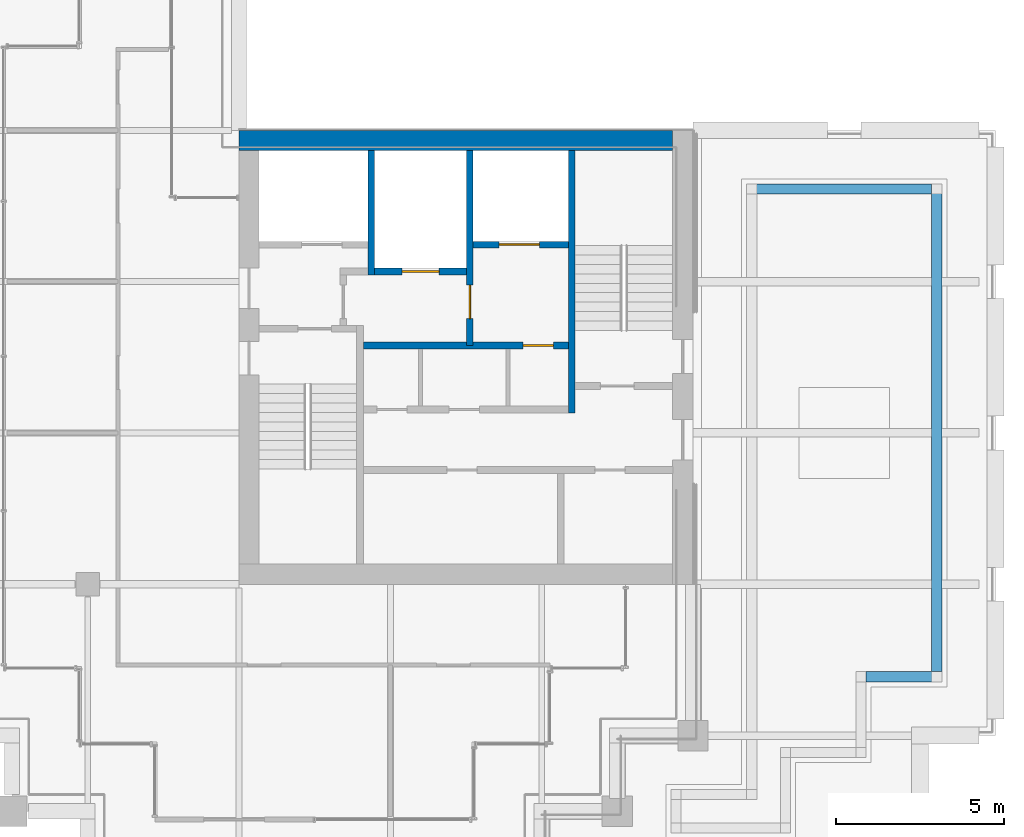
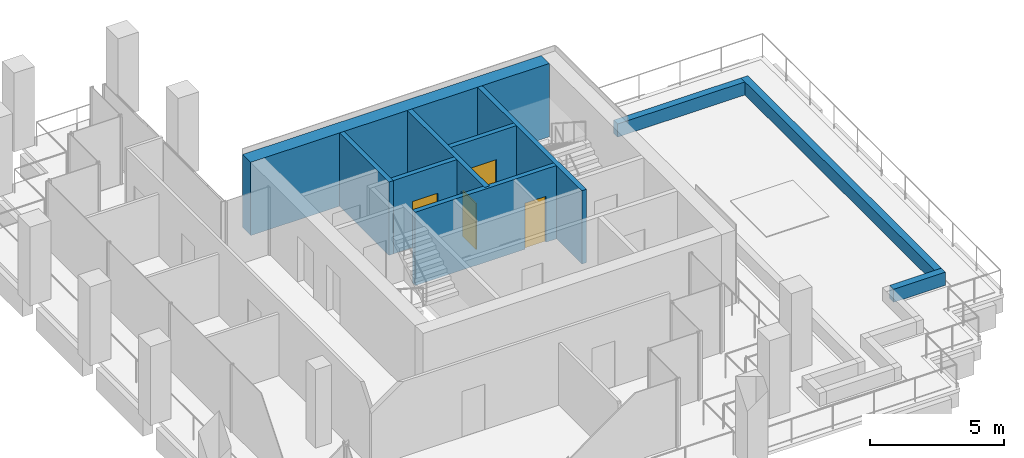
# One storey, part 41 of 44: 10 walls, 4 doors, 4 openings.
"""IFC4 building model written with IfcOpenShell, lengths in metres."""

from ifc_helpers import new_model, si_unit, direction, frame, frame_2d, origin, place, context, subcontext, project, spatial, rectangle, extrude, material, layer, layer_set, type_object, element, fill, save


model = new_model("IFC4")

# Units and contexts
model_context = context("Model", 3, precision=1e-05, world=origin(), true_north=direction((0.0, 1.0)))
body_context = subcontext(model_context, "Body", "Model", "MODEL_VIEW")
ifc_project = project(units=[si_unit("LENGTHUNIT", "METRE"), si_unit("AREAUNIT", "SQUARE_METRE"), si_unit("VOLUMEUNIT", "CUBIC_METRE"), si_unit("PLANEANGLEUNIT", "RADIAN"), si_unit("MASSUNIT", "GRAM", prefix="KILO")], contexts=[model_context])

# Site, building, storey
site_placement = place(None, origin())
site = spatial("IfcSite", under=ifc_project, at=site_placement, CompositionType="ELEMENT")
building_placement = place(site_placement, origin())
building = spatial("IfcBuilding", under=site, at=building_placement, Name="Altepetl Exchange Towers", CompositionType="ELEMENT")
storey_placement = place(building_placement, frame((0.0, 0.0, 143.800048828125)))
storey = spatial("IfcBuildingStorey", under=building, at=storey_placement, Name="L35", CompositionType="ELEMENT", Elevation=143.800048828125)

# Wall
ifc_material_1 = material(Name="Concrete C70/85", Category="concrete")
ifc_layer_1 = layer(ifc_material_1, 0.60009765625)
ifc_layer_set_1 = layer_set([ifc_layer_1], Name="Concrete C70/85")
wall_type_1 = type_object("IfcWallType", Name="Core wall 600 reinforced concrete external", PredefinedType="SHEAR", material=ifc_layer_set_1)
wall_1_placement = place(storey_placement, frame((103.5, 49.199951171875, 0.0)))
element("IfcWall", 1, at=wall_1_placement, inside=storey, type_object=wall_type_1, Name="wall:B:L35:K-coreN", PredefinedType="SHEAR", context=body_context, shape_type="SweptSolid", body=[
    extrude(rectangle(XDim=12.89990234375, YDim=0.60009765625, at=frame_2d((6.449951171875, 0.0))), origin(), (0.0, 0.0, 1.0), 3.349853515625),
])

# Wall, opening, door
ifc_material_2 = material(Name="Concrete blockwork", Category="masonry")
ifc_layer_2 = layer(ifc_material_2, 0.199951171875)
ifc_layer_set_2 = layer_set([ifc_layer_2], Name="Concrete blockwork")
wall_type_2 = type_object("IfcWallType", Name="Lobby wall 200 blockwork", PredefinedType="PARTITIONING", material=ifc_layer_set_2)
wall_2_placement = place(storey_placement, frame((107.199951171875, 43.10009765625, 0.0)))
wall_2 = element("IfcWall", 2, at=wall_2_placement, inside=storey, type_object=wall_type_2, Name="wall:B:L35:K-zoneN", PredefinedType="PARTITIONING", context=body_context, shape_type="SweptSolid", body=[
    extrude(rectangle(XDim=6.10009765625, YDim=0.199951171875, at=frame_2d((3.050048828125, 0.0))), origin(), (0.0, 0.0, 1.0), 3.349853515625),
])
opening_1_placement = place(wall_2_placement, frame((4.75, 0.0, 0.0)))
opening_1 = element("IfcOpeningElement", 3, at=opening_1_placement, cuts=wall_2, Name="Opening L35.B72", PredefinedType="OPENING", context=body_context, shape_type="SweptSolid", body=[
    extrude(rectangle(XDim=0.89990234375, YDim=2.10009765625, at=frame_2d((0.449951171875, 1.050048828125))), frame((0.0, 0.10986328125, 0.0), z_axis=(0.0, -1.0, 0.0), x_axis=(1.0, 0.0, 0.0)), (0.0, 0.0, 1.0), 0.219970703125),
])
ifc_material_3 = material(Name="Steel and timber fire door", Category="steel")
door_type_1 = type_object("IfcDoorType", Name="Fire door 900 x 2100 service room", OperationType="SINGLE_SWING_LEFT", PredefinedType="DOOR", material=ifc_material_3)
door_1_placement = place(opening_1_placement, frame((0.89990234375, 0.0, 0.0), x_axis=(-1.0, 0.0, 0.0)))
door_1 = element("IfcDoor", 4, at=door_1_placement, inside=storey, type_object=door_type_1, Name="door:B:L35:K-dz3", OperationType="SINGLE_SWING_RIGHT", OverallHeight=2.10009765625, OverallWidth=0.89990234375, PredefinedType="DOOR", context=body_context, shape_type="SweptSolid", body=[
    extrude(rectangle(XDim=0.89990234375, YDim=2.10009765625, at=frame_2d((0.449951171875, 1.050048828125))), frame((0.0, 0.02490234375, 0.0), z_axis=(0.0, -1.0, 0.0), x_axis=(1.0, 0.0, 0.0)), (0.0, 0.0, 1.0), 0.050048828125),
])
fill(opening_1, door_1)

# Walls
ifc_material_4 = material(Name="Concrete C30/37", Category="concrete")
ifc_layer_3 = layer(ifc_material_4, 0.300048828125)
ifc_layer_set_3 = layer_set([ifc_layer_3], Name="Concrete C30/37")
wall_type_3 = type_object("IfcWallType", Name="Planter wall 300 concrete", PredefinedType="SOLIDWALL", material=ifc_layer_set_3)
wall_3_placement = place(storey_placement, frame((122.14990234375, 33.25, 0.0)))
element("IfcWall", 5, at=wall_3_placement, inside=storey, type_object=wall_type_3, Name="Planter bed wall", PredefinedType="SOLIDWALL", context=body_context, shape_type="SweptSolid", body=[
    extrude(rectangle(XDim=2.25, YDim=0.300048828125, at=frame_2d((1.125, 0.0))), origin(), (0.0, 0.0, 1.0), 0.599853515625),
])
wall_4_placement = place(storey_placement, frame((124.25, 33.39990234375, 0.0), z_axis=(0.0, 0.0, 1.0), x_axis=(0.0, 1.0, 0.0)))
element("IfcWall", 6, at=wall_4_placement, inside=storey, type_object=wall_type_3, Name="Planter bed wall", PredefinedType="SOLIDWALL", context=body_context, shape_type="SweptSolid", body=[
    extrude(rectangle(XDim=14.5, YDim=0.300048828125, at=frame_2d((7.25, 0.0))), origin(), (0.0, 0.0, 1.0), 0.599853515625),
])
wall_5_placement = place(storey_placement, frame((124.10009765625, 47.75, 0.0), z_axis=(0.0, 0.0, 1.0), x_axis=(-1.0, 0.0, 0.0)))
element("IfcWall", 7, at=wall_5_placement, inside=storey, type_object=wall_type_3, Name="Planter bed wall", PredefinedType="SOLIDWALL", context=body_context, shape_type="SweptSolid", body=[
    extrude(rectangle(XDim=5.5, YDim=0.300048828125, at=frame_2d((2.75, 0.0))), origin(), (0.0, 0.0, 1.0), 0.599853515625),
])
ifc_material_5 = material(Name="Concrete C40/50", Category="concrete")
ifc_layer_4 = layer(ifc_material_5, 0.199951171875)
ifc_layer_set_4 = layer_set([ifc_layer_4], Name="Concrete C40/50")
wall_type_4 = type_object("IfcWallType", Name="Shaft wall 200 reinforced concrete", PredefinedType="SHEAR", material=ifc_layer_set_4)
wall_6_placement = place(storey_placement, frame((107.433349609375, 48.89990234375, 0.0), z_axis=(0.0, 0.0, 1.0), x_axis=(0.0, -1.0, 0.0)))
element("IfcWall", 8, at=wall_6_placement, inside=storey, type_object=wall_type_4, Name="wall:B:L35:K-divN1", PredefinedType="SHEAR", context=body_context, shape_type="SweptSolid", body=[
    extrude(rectangle(XDim=3.699951171875, YDim=0.199951171875, at=frame_2d((1.85009765625, 0.0))), origin(), (0.0, 0.0, 1.0), 3.349853515625),
])

# Wall, opening, door
wall_7_placement = place(storey_placement, frame((110.36669921875, 48.89990234375, 0.0), z_axis=(0.0, 0.0, 1.0), x_axis=(0.0, -1.0, 0.0)))
wall_7 = element("IfcWall", 9, at=wall_7_placement, inside=storey, type_object=wall_type_4, Name="wall:B:L35:K-divN2", PredefinedType="SHEAR", context=body_context, shape_type="SweptSolid", body=[
    extrude(rectangle(XDim=5.7998046875, YDim=0.199951171875, at=frame_2d((2.89990234375, 0.0))), origin(), (0.0, 0.0, 1.0), 3.349853515625),
])
opening_2_placement = place(wall_7_placement, frame((4.0, 0.0, 0.0)))
opening_2 = element("IfcOpeningElement", 10, at=opening_2_placement, cuts=wall_7, Name="Opening L35.B66", PredefinedType="OPENING", context=body_context, shape_type="SweptSolid", body=[
    extrude(rectangle(XDim=1.0, YDim=2.10009765625, at=frame_2d((0.5, 1.050048828125))), frame((0.0, 0.10986328125, 0.0), z_axis=(0.0, -1.0, 0.0), x_axis=(1.0, 0.0, 0.0)), (0.0, 0.0, 1.0), 0.219970703125),
])
door_type_2 = type_object("IfcDoorType", Name="Fire door 1000 x 2100 stair and lobby", OperationType="SINGLE_SWING_LEFT", PredefinedType="DOOR", material=ifc_material_3)
door_2_placement = place(opening_2_placement, frame((1.0, 0.0, 0.0), x_axis=(-1.0, 0.0, 0.0)))
door_2 = element("IfcDoor", 11, at=door_2_placement, inside=storey, type_object=door_type_2, Name="door:B:L35:K-dffE", OperationType="SINGLE_SWING_RIGHT", OverallHeight=2.10009765625, OverallWidth=1.0, PredefinedType="DOOR", context=body_context, shape_type="SweptSolid", body=[
    extrude(rectangle(XDim=1.0, YDim=2.10009765625, at=frame_2d((0.5, 1.050048828125))), frame((0.0, 0.02490234375, 0.0), z_axis=(0.0, -1.0, 0.0), x_axis=(1.0, 0.0, 0.0)), (0.0, 0.0, 1.0), 0.050048828125),
])
fill(opening_2, door_2)

wall_8_placement = place(storey_placement, frame((110.466796875, 46.10009765625, 0.0)))
wall_8 = element("IfcWall", 12, at=wall_8_placement, inside=storey, type_object=wall_type_4, Name="wall:B:L35:K-frontNb", PredefinedType="SHEAR", context=body_context, shape_type="SweptSolid", body=[
    extrude(rectangle(XDim=2.833251953125, YDim=0.199951171875, at=frame_2d((1.41650390625, 0.0))), origin(), (0.0, 0.0, 1.0), 3.349853515625),
])
opening_3_placement = place(wall_8_placement, frame((0.7666015625, 0.0, 0.0)))
opening_3 = element("IfcOpeningElement", 13, at=opening_3_placement, cuts=wall_8, Name="Opening L35.B75", PredefinedType="OPENING", context=body_context, shape_type="SweptSolid", body=[
    extrude(rectangle(XDim=1.199951171875, YDim=2.10009765625, at=frame_2d((0.60009765625, 1.050048828125))), frame((0.0, 0.10986328125, 0.0), z_axis=(0.0, -1.0, 0.0), x_axis=(1.0, 0.0, 0.0)), (0.0, 0.0, 1.0), 0.219970703125),
])
ifc_material_6 = material(Name="Stainless steel", Category="steel")
door_type_3 = type_object("IfcDoorType", Name="Lift landing door 1200 x 2100", OperationType="SLIDING_TO_LEFT", PredefinedType="DOOR", material=ifc_material_6)
door_3_placement = place(opening_3_placement, origin())
door_3 = element("IfcDoor", 14, at=door_3_placement, inside=storey, type_object=door_type_3, Name="Landing door P5", OperationType="SLIDING_TO_LEFT", OverallHeight=2.10009765625, OverallWidth=1.199951171875, PredefinedType="DOOR", context=body_context, shape_type="SweptSolid", body=[
    extrude(rectangle(XDim=1.199951171875, YDim=2.10009765625, at=frame_2d((0.60009765625, 1.050048828125))), frame((0.0, 0.02490234375, 0.0), z_axis=(0.0, -1.0, 0.0), x_axis=(1.0, 0.0, 0.0)), (0.0, 0.0, 1.0), 0.050048828125),
])
fill(opening_3, door_3)

wall_9_placement = place(storey_placement, frame((107.533203125, 45.300048828125, 0.0)))
wall_9 = element("IfcWall", 15, at=wall_9_placement, inside=storey, type_object=wall_type_4, Name="wall:B:L35:K-frontNd", PredefinedType="SHEAR", context=body_context, shape_type="SweptSolid", body=[
    extrude(rectangle(XDim=2.7333984375, YDim=0.199951171875, at=frame_2d((1.36669921875, 0.0))), origin(), (0.0, 0.0, 1.0), 3.349853515625),
])
opening_4_placement = place(wall_9_placement, frame((0.816650390625, 0.0, 0.0)))
opening_4 = element("IfcOpeningElement", 16, at=opening_4_placement, cuts=wall_9, Name="Opening L35.B73", PredefinedType="OPENING", context=body_context, shape_type="SweptSolid", body=[
    extrude(rectangle(XDim=1.10009765625, YDim=2.10009765625, at=frame_2d((0.550048828125, 1.050048828125))), frame((0.0, 0.10986328125, 0.0), z_axis=(0.0, -1.0, 0.0), x_axis=(1.0, 0.0, 0.0)), (0.0, 0.0, 1.0), 0.219970703125),
])
door_type_4 = type_object("IfcDoorType", Name="Lift landing door 1100 x 2100", OperationType="SLIDING_TO_LEFT", PredefinedType="DOOR", material=ifc_material_6)
door_4_placement = place(opening_4_placement, origin())
door_4 = element("IfcDoor", 17, at=door_4_placement, inside=storey, type_object=door_type_4, Name="Landing door FFL1", OperationType="SLIDING_TO_LEFT", OverallHeight=2.10009765625, OverallWidth=1.10009765625, PredefinedType="DOOR", context=body_context, shape_type="SweptSolid", body=[
    extrude(rectangle(XDim=1.10009765625, YDim=2.10009765625, at=frame_2d((0.550048828125, 1.050048828125))), frame((0.0, 0.02490234375, 0.0), z_axis=(0.0, -1.0, 0.0), x_axis=(1.0, 0.0, 0.0)), (0.0, 0.0, 1.0), 0.050048828125),
])
fill(opening_4, door_4)

# Wall
ifc_layer_5 = layer(ifc_material_5, 0.199951171875)
ifc_layer_set_5 = layer_set([ifc_layer_5], Name="Concrete C40/50")
wall_type_5 = type_object("IfcWallType", Name="Stair wall 200 reinforced concrete", PredefinedType="SHEAR", material=ifc_layer_set_5)
wall_10_placement = place(storey_placement, frame((113.39990234375, 41.10009765625, 0.0), z_axis=(0.0, 0.0, 1.0), x_axis=(0.0, 1.0, 0.0)))
element("IfcWall", 18, at=wall_10_placement, inside=storey, type_object=wall_type_5, Name="wall:B:L35:K-stS2W", PredefinedType="SHEAR", context=body_context, shape_type="SweptSolid", body=[
    extrude(rectangle(XDim=7.7998046875, YDim=0.199951171875, at=frame_2d((3.89990234375, 0.0))), origin(), (0.0, 0.0, 1.0), 3.349853515625),
])

save(model, "model.ifc")
